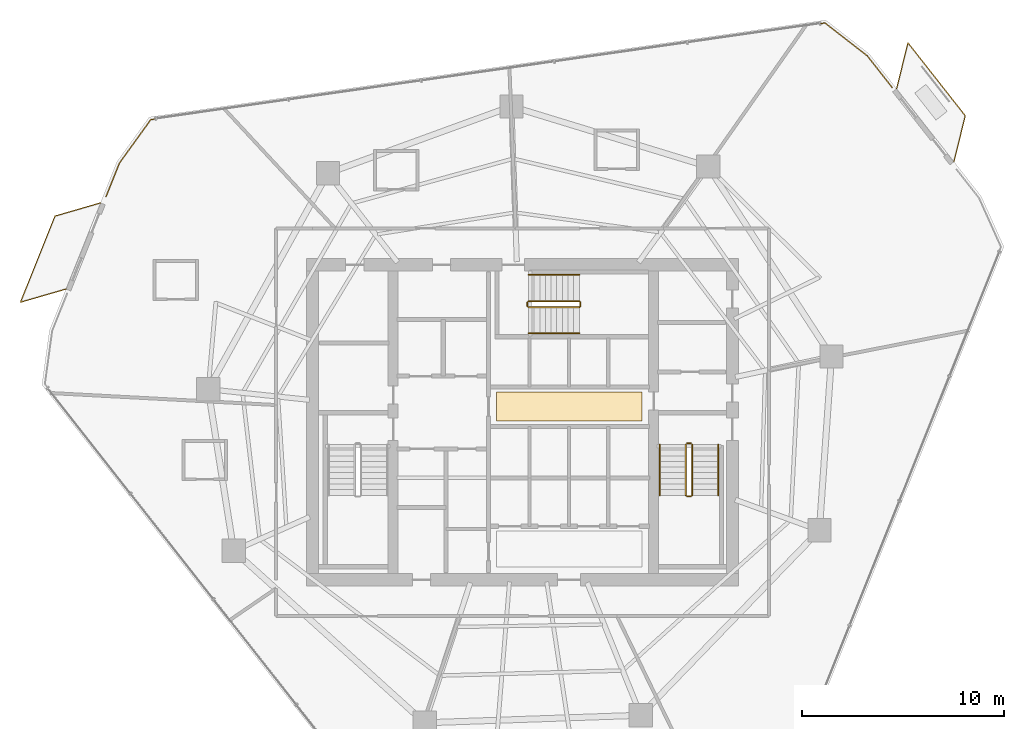
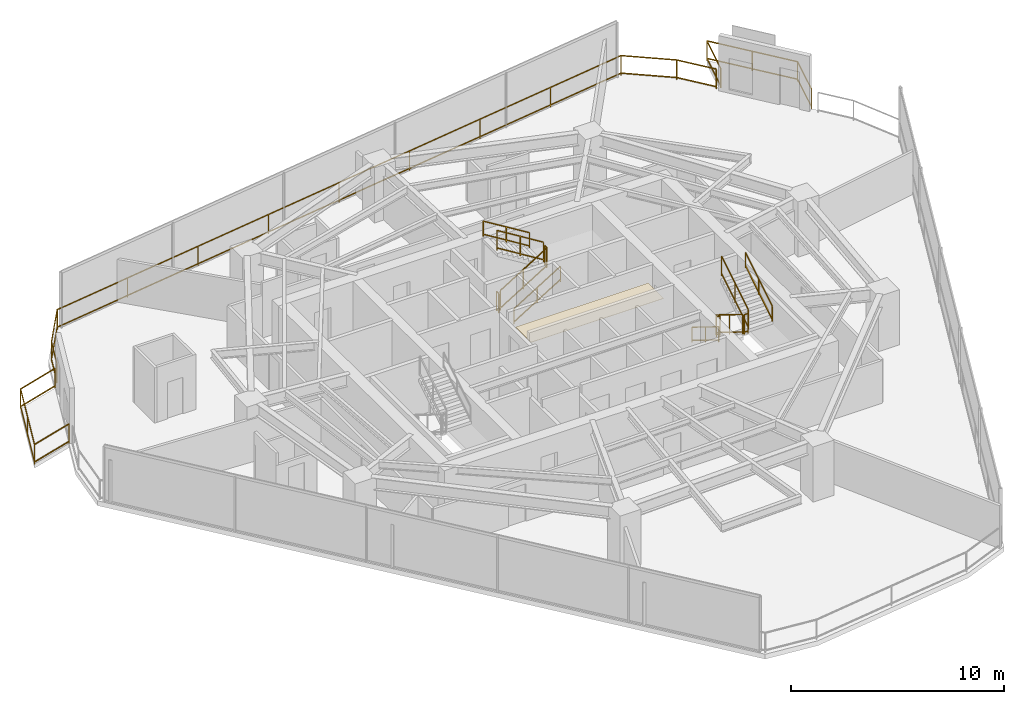
# One storey, part 29 of 29: 16 railings, 1 covering.
"""IFC4 building model written with IfcOpenShell, lengths in metres."""

import ifcopenshell
import ifcopenshell.guid

model = None  # the IFC model being written
_history = None  # IfcOwnerHistory: only IFC2X3 demands one
_inside = {}  # id of a spatial element -> (the spatial element, [elements in it])
_under = {}  # id of a project, library or spatial element -> (it, [spatial elements below it])
_declared = {}  # id of a project -> (the project, [libraries it declares])
_typed = {}  # id of a type object -> (the type object, [elements of that type])
_made_of = {}  # id of a material, layer set ... -> (it, [elements and type objects made of it])


def new_model(schema):
    """Start an empty IFC model of exactly this schema.

    Asked for "IFC4X3", IfcOpenShell would pick the latest addendum, in which some entities
    have other attributes; the version numbers below select the first issue.
    IFC2X3 requires an IfcOwnerHistory on every rooted entity: one is made here for all.
    """
    global model, _history
    if schema == "IFC4X3":
        model = ifcopenshell.file(schema_version=(4, 3, 0, 0))
    else:
        model = ifcopenshell.file(schema=schema)
    _inside.clear()
    _under.clear()
    _declared.clear()
    _typed.clear()
    _made_of.clear()
    _history = None
    if model.schema == "IFC2X3":
        org = make("IfcOrganization", Name="unknown")
        user = make(
            "IfcPersonAndOrganization",
            ThePerson=make("IfcPerson", FamilyName="unknown"),
            TheOrganization=org,
        )
        app = make(
            "IfcApplication",
            ApplicationDeveloper=org,
            Version="unknown",
            ApplicationFullName="unknown",
            ApplicationIdentifier="unknown",
        )
        _history = make(
            "IfcOwnerHistory",
            OwningUser=user,
            OwningApplication=app,
            ChangeAction="ADDED",
            CreationDate=0,
        )
    return model


def make(cls, **values):
    """One entity of the class cls with the attributes given. An attribute that is None is left unset."""
    return model.create_entity(
        cls, **{name: value for name, value in values.items() if value is not None}
    )


def rooted(cls, **values):
    """An entity with a GlobalId (a new one), such as an element, a storey or a relation."""
    return make(cls, GlobalId=ifcopenshell.guid.new(), OwnerHistory=_history, **values)


def si_unit(unit_type, name, prefix=None):
    """IfcSIUnit, for example si_unit("LENGTHUNIT", "METRE", prefix="MILLI")."""
    return make("IfcSIUnit", UnitType=unit_type, Prefix=prefix, Name=name)


def assignment(units):
    """IfcUnitAssignment: the units of a project."""
    return None if units is None else make("IfcUnitAssignment", Units=units)


def point(xyz):
    """IfcCartesianPoint."""
    return None if xyz is None else make("IfcCartesianPoint", Coordinates=xyz)


def direction(xyz):
    """IfcDirection."""
    return None if xyz is None else make("IfcDirection", DirectionRatios=xyz)


def frame(location, z_axis=None, x_axis=None):
    """IfcAxis2Placement3D, a coordinate frame: its origin and axes. An axis left out is left unset."""
    return make(
        "IfcAxis2Placement3D",
        Location=point(location),
        Axis=direction(z_axis),
        RefDirection=direction(x_axis),
    )


def frame_2d(location, x_axis=None):
    """IfcAxis2Placement2D, a coordinate frame in the plane: its origin and x axis."""
    return make(
        "IfcAxis2Placement2D", Location=point(location), RefDirection=direction(x_axis)
    )


def origin():
    """The frame at (0, 0, 0) with its axes left unset."""
    return frame((0.0, 0.0, 0.0))


def origin_2d():
    """The frame at (0, 0) in the plane with its x axis left unset."""
    return frame_2d((0.0, 0.0))


def place(relative_to, where):
    """IfcLocalPlacement: puts the frame where relative to a parent placement (None: the world)."""
    return make(
        "IfcLocalPlacement", PlacementRelTo=relative_to, RelativePlacement=where
    )


def context(
    kind, dimensions, precision=None, world=None, true_north=None, identifier=None
):
    """IfcGeometricRepresentationContext, for example the 3D "Model" context."""
    return make(
        "IfcGeometricRepresentationContext",
        ContextIdentifier=identifier,
        ContextType=kind,
        CoordinateSpaceDimension=dimensions,
        Precision=precision,
        WorldCoordinateSystem=world,
        TrueNorth=true_north,
    )


def subcontext(parent, identifier, kind, view, scale=None):
    """IfcGeometricRepresentationSubContext, for example "Body" below "Model"."""
    return make(
        "IfcGeometricRepresentationSubContext",
        ContextIdentifier=identifier,
        ContextType=kind,
        ParentContext=parent,
        TargetScale=scale,
        TargetView=view,
    )


def project(units=None, contexts=None):
    """IfcProject with its units and contexts."""
    return rooted(
        "IfcProject",
        Name="project",
        RepresentationContexts=contexts,
        UnitsInContext=assignment(units),
    )


def spatial(cls, under=None, at=None, **own):
    """A site, building, storey or space (cls), placed at a placement, below another one or the project."""
    s = rooted(cls, ObjectPlacement=at, **own)
    if under is not None:
        _under.setdefault(under.id(), (under, []))[1].append(s)
    return s


def profile(cls, at=None, kind="AREA", **sizes):
    """A parametric profile (cls). Its sizes go by their IFC names, for example OverallWidth=200.0."""
    return make(cls, ProfileType=kind, Position=at, **sizes)


def rectangle(**sizes):
    """IfcRectangleProfileDef."""
    return profile("IfcRectangleProfileDef", **sizes)


def extrude(swept, where, along, depth):
    """IfcExtrudedAreaSolid: the profile swept, set in the frame where, extruded along a direction by depth."""
    return make(
        "IfcExtrudedAreaSolid",
        SweptArea=swept,
        Position=where,
        ExtrudedDirection=direction(along),
        Depth=depth,
    )


def shape(context_of_items, identifier, shape_type, items):
    """IfcShapeRepresentation: the items that make up one representation, for example the "Body"."""
    return make(
        "IfcShapeRepresentation",
        ContextOfItems=context_of_items,
        RepresentationIdentifier=identifier,
        RepresentationType=shape_type,
        Items=items,
    )


def material(Name=None, Category=None):
    """IfcMaterial."""
    return make("IfcMaterial", Name=Name, Category=Category)


def layer(
    of_material, thickness, ventilated=None, Name=None, Category=None, Priority=None
):
    """IfcMaterialLayer: one layer of a wall or slab, of a material (None: an air gap)."""
    return make(
        "IfcMaterialLayer",
        Material=of_material,
        LayerThickness=thickness,
        IsVentilated=ventilated,
        Name=Name,
        Category=Category,
        Priority=Priority,
    )


def layer_set(layers, Name=None):
    """IfcMaterialLayerSet."""
    return make("IfcMaterialLayerSet", MaterialLayers=layers, LayerSetName=Name)


def made_of(thing, what):
    """Note that an element or type object is made of a material, layer set ...; save() writes the relation."""
    if what is not None:
        _made_of.setdefault(what.id(), (what, []))[1].append(thing)
    return thing


def type_object(cls, material=None, **own):
    """A type object (cls), such as IfcWallType, which elements share."""
    return made_of(rooted(cls, **own), material)


def element(
    cls,
    number,
    at=None,
    inside=None,
    cuts=None,
    type_object=None,
    material=None,
    context=None,
    identifier="Body",
    shape_type=None,
    held_by="IfcProductDefinitionShape",
    body=None,
    shapes=None,
    **own,
):
    """One element of the class cls, such as IfcWall. Its Tag is "e" and its number.

    at: its placement. inside: the storey or other place that contains it. cuts: it is an
    opening in that element (IfcRelVoidsElement). A single representation is given by context,
    identifier, shape_type and body (its items); several are given by shapes. held_by: the class
    of the entity that holds the representations. save() writes the other relations.
    """
    e = rooted(cls, Tag="e%d" % number, ObjectPlacement=at, **own)
    if body is not None:
        shapes = [shape(context, identifier, shape_type, body)]
    if shapes is not None:
        e.Representation = make(held_by, Representations=shapes)
    if inside is not None:
        _inside.setdefault(inside.id(), (inside, []))[1].append(e)
    if cuts is not None:
        rooted(
            "IfcRelVoidsElement", RelatingBuildingElement=cuts, RelatedOpeningElement=e
        )
    if type_object is not None:
        _typed.setdefault(type_object.id(), (type_object, []))[1].append(e)
    return made_of(e, material)


def aggregate(whole, parts):
    """IfcRelAggregates: a whole, such as a stair, and the parts it consists of."""
    return rooted("IfcRelAggregates", RelatingObject=whole, RelatedObjects=parts)


def save(model, path):
    """Write the relations noted so far, then the file.

    IfcRelAggregates (storeys below a building ...), IfcRelContainedInSpatialStructure (elements
    in a storey), IfcRelDefinesByType, IfcRelAssociatesMaterial and IfcRelDeclares: one each for
    every whole, place, type object, material and project.
    """
    for whole, parts in _under.values():
        aggregate(whole, parts)
    for where, things in _inside.values():
        rooted(
            "IfcRelContainedInSpatialStructure",
            RelatedElements=things,
            RelatingStructure=where,
        )
    for kind, things in _typed.values():
        rooted("IfcRelDefinesByType", RelatedObjects=things, RelatingType=kind)
    for what, things in _made_of.values():
        rooted("IfcRelAssociatesMaterial", RelatedObjects=things, RelatingMaterial=what)
    for by, libraries in _declared.values():
        rooted("IfcRelDeclares", RelatingContext=by, RelatedDefinitions=libraries)
    model.write(path)


model = new_model("IFC4")

# Units and contexts
model_context = context("Model", 3, precision=1e-05, world=origin(), true_north=direction((0.0, 1.0)))
body_context = subcontext(model_context, "Body", "Model", "MODEL_VIEW")
ifc_project = project(units=[si_unit("LENGTHUNIT", "METRE"), si_unit("AREAUNIT", "SQUARE_METRE"), si_unit("VOLUMEUNIT", "CUBIC_METRE"), si_unit("PLANEANGLEUNIT", "RADIAN"), si_unit("MASSUNIT", "GRAM", prefix="KILO")], contexts=[model_context])

# Site, building, storey
site_placement = place(None, origin())
site = spatial("IfcSite", under=ifc_project, at=site_placement, CompositionType="ELEMENT")
building_placement = place(site_placement, origin())
building = spatial("IfcBuilding", under=site, at=building_placement, Name="Qarnah Convention Tower", CompositionType="ELEMENT")
storey_placement = place(building_placement, frame((0.0, 0.0, 97.050048828125)))
storey = spatial("IfcBuildingStorey", under=building, at=storey_placement, Name="L25", CompositionType="ELEMENT", Elevation=97.050048828125)

# Covering
ifc_material_1 = material(Name="Mineral fibre acoustic ceiling")
ifc_layer = layer(ifc_material_1, 0.02001953125)
ifc_layer_set = layer_set([ifc_layer], Name="Mineral fibre acoustic ceiling")
covering_type = type_object("IfcCoveringType", Name="COV-CEIL-20", PredefinedType="CEILING", material=ifc_layer_set)
covering_placement = place(storey_placement, frame((39.52001953125, 27.179931640625, 2.2900390625), z_axis=(0.0, 0.0, 1.0), x_axis=(1.0, 0.0, 0.0)))
element("IfcCovering", 1, at=covering_placement, inside=storey, type_object=covering_type, Name="L25 lift lobby acoustic ceiling", PredefinedType="CEILING", context=body_context, shape_type="SweptSolid", body=[
    extrude(rectangle(XDim=7.199951171875, YDim=1.449951171875, at=origin_2d()), origin(), (0.0, 0.0, 1.0), 0.02001953125),
])

# Railings
ifc_material_2 = material(Name="Black anodised aluminium", Category="aluminium")
railing_type_1 = type_object("IfcRailingType", Name="RL-EXT-GUARD-1150", PredefinedType="GUARDRAIL", material=ifc_material_2)
railing_1_placement = place(storey_placement, frame((54.278076171875, 44.547119140625, 0.0)))
element("IfcRailing", 2, at=railing_1_placement, inside=storey, type_object=railing_type_1, Name="L25 slab-edge perimeter safety guard 01", PredefinedType="GUARDRAIL", context=body_context, shape_type="SweptSolid", body=[
    extrude(rectangle(XDim=0.048095703125, YDim=0.048095703125, at=origin_2d()), frame((0.0, 0.0, 1.1259765625), z_axis=(0.617703192365, -0.78641132122, 0.0), x_axis=(0.78641132122, 0.617703192365, 0.0)), (0.0, 0.0, 1.0), 2.004150390625),
    extrude(rectangle(XDim=0.048095703125, YDim=0.048095703125, at=origin_2d()), frame((0.0, 0.0, 0.1201171875), z_axis=(0.617703192365, -0.78641132122, 0.0), x_axis=(0.78641132122, 0.617703192365, 0.0)), (0.0, 0.0, 1.0), 2.004150390625),
    extrude(rectangle(XDim=0.0419921875, YDim=0.0419921875, at=origin_2d()), origin(), (0.0, 0.0, 1.0), 1.101806640625),
    extrude(rectangle(XDim=0.0419921875, YDim=0.0419921875, at=origin_2d()), frame((1.238037109375, -1.576171875, 0.0)), (0.0, 0.0, 1.0), 1.101806640625),
])
railing_2_placement = place(storey_placement, frame((16.575927734375, 37.572021484375, 0.0)))
element("IfcRailing", 3, at=railing_2_placement, inside=storey, type_object=railing_type_1, Name="L25 slab-edge perimeter safety guard 03", PredefinedType="GUARDRAIL", context=body_context, shape_type="SweptSolid", body=[
    extrude(rectangle(XDim=0.048095703125, YDim=0.048095703125, at=origin_2d()), frame((0.0, 0.0, 1.1259765625), z_axis=(0.372048011455, 0.928213486851, 0.0), x_axis=(-0.928213486851, 0.372048011455, 0.0)), (0.0, 0.0, 1.0), 1.792724609375),
    extrude(rectangle(XDim=0.048095703125, YDim=0.048095703125, at=origin_2d()), frame((0.0, 0.0, 0.1201171875), z_axis=(0.372048011455, 0.928213486851, 0.0), x_axis=(-0.928213486851, 0.372048011455, 0.0)), (0.0, 0.0, 1.0), 1.792724609375),
    extrude(rectangle(XDim=0.048095703125, YDim=0.048095703125, at=origin_2d()), frame((0.6669921875, 1.6640625, 1.1259765625), z_axis=(0.585383028437, 0.810756874789, 0.0), x_axis=(-0.810756874789, 0.585383028437, 0.0)), (0.0, 0.0, 1.0), 2.65283203125),
    extrude(rectangle(XDim=0.048095703125, YDim=0.048095703125, at=origin_2d()), frame((0.6669921875, 1.6640625, 0.1201171875), z_axis=(0.585383028437, 0.810756874789, 0.0), x_axis=(-0.810756874789, 0.585383028437, 0.0)), (0.0, 0.0, 1.0), 2.65283203125),
    extrude(rectangle(XDim=0.048095703125, YDim=0.048095703125, at=origin_2d()), frame((2.219970703125, 3.81494140625, 1.1259765625), z_axis=(0.989876689671, 0.141930050537, 0.0), x_axis=(-0.141930050537, 0.989876689671, 0.0)), (0.0, 0.0, 1.0), 33.728759765625),
    extrude(rectangle(XDim=0.048095703125, YDim=0.048095703125, at=origin_2d()), frame((2.219970703125, 3.81494140625, 0.1201171875), z_axis=(0.989876689671, 0.141930050537, 0.0), x_axis=(-0.141930050537, 0.989876689671, 0.0)), (0.0, 0.0, 1.0), 33.728759765625),
    extrude(rectangle(XDim=0.048095703125, YDim=0.048095703125, at=origin_2d()), frame((35.607177734375, 8.60205078125, 1.1259765625), z_axis=(0.789803004829, -0.613360590162, 0.0), x_axis=(0.613360590162, 0.789803004829, 0.0)), (0.0, 0.0, 1.0), 2.652587890625),
    extrude(rectangle(XDim=0.048095703125, YDim=0.048095703125, at=origin_2d()), frame((35.607177734375, 8.60205078125, 0.1201171875), z_axis=(0.789803004829, -0.613360590162, 0.0), x_axis=(0.613360590162, 0.789803004829, 0.0)), (0.0, 0.0, 1.0), 2.652587890625),
    extrude(rectangle(XDim=0.0419921875, YDim=0.0419921875, at=origin_2d()), origin(), (0.0, 0.0, 1.0), 1.101806640625),
    extrude(rectangle(XDim=0.0419921875, YDim=0.0419921875, at=origin_2d()), frame((0.6669921875, 1.6640625, 0.0)), (0.0, 0.0, 1.0), 1.101806640625),
    extrude(rectangle(XDim=0.0419921875, YDim=0.0419921875, at=origin_2d()), frame((2.219970703125, 3.81494140625, 0.0)), (0.0, 0.0, 1.0), 1.101806640625),
    extrude(rectangle(XDim=0.0419921875, YDim=0.0419921875, at=origin_2d()), frame((6.393310546875, 4.413330078125, 0.0)), (0.0, 0.0, 1.0), 1.101806640625),
    extrude(rectangle(XDim=0.0419921875, YDim=0.0419921875, at=origin_2d()), frame((10.56689453125, 5.01171875, 0.0)), (0.0, 0.0, 1.0), 1.101806640625),
    extrude(rectangle(XDim=0.0419921875, YDim=0.0419921875, at=origin_2d()), frame((14.740234375, 5.610107421875, 0.0)), (0.0, 0.0, 1.0), 1.101806640625),
    extrude(rectangle(XDim=0.0419921875, YDim=0.0419921875, at=origin_2d()), frame((18.91357421875, 6.20849609375, 0.0)), (0.0, 0.0, 1.0), 1.101806640625),
    extrude(rectangle(XDim=0.0419921875, YDim=0.0419921875, at=origin_2d()), frame((23.0869140625, 6.806884765625, 0.0)), (0.0, 0.0, 1.0), 1.101806640625),
    extrude(rectangle(XDim=0.0419921875, YDim=0.0419921875, at=origin_2d()), frame((27.26025390625, 7.4052734375, 0.0)), (0.0, 0.0, 1.0), 1.101806640625),
    extrude(rectangle(XDim=0.0419921875, YDim=0.0419921875, at=origin_2d()), frame((31.433837890625, 8.003662109375, 0.0)), (0.0, 0.0, 1.0), 1.101806640625),
    extrude(rectangle(XDim=0.0419921875, YDim=0.0419921875, at=origin_2d()), frame((35.607177734375, 8.60205078125, 0.0)), (0.0, 0.0, 1.0), 1.101806640625),
    extrude(rectangle(XDim=0.0419921875, YDim=0.0419921875, at=origin_2d()), frame((37.7021484375, 6.97509765625, 0.0)), (0.0, 0.0, 1.0), 1.101806640625),
])
railing_3_placement = place(storey_placement, frame((55.72998046875, 42.91796875, 0.0)))
element("IfcRailing", 4, at=railing_3_placement, inside=storey, type_object=railing_type_1, Name="L25 balcony safety guard BAL-L25-C1", PredefinedType="GUARDRAIL", context=body_context, shape_type="SweptSolid", body=[
    extrude(rectangle(XDim=0.048095703125, YDim=0.048095703125, at=origin_2d()), frame((0.0, 0.0, 1.1259765625), z_axis=(0.239034135672, 0.971011164706, 0.0), x_axis=(-0.971011164706, 0.239034135672, 0.0)), (0.0, 0.0, 1.0), 2.34716796875),
    extrude(rectangle(XDim=0.048095703125, YDim=0.048095703125, at=origin_2d()), frame((0.0, 0.0, 0.1201171875), z_axis=(0.239034135672, 0.971011164706, 0.0), x_axis=(-0.971011164706, 0.239034135672, 0.0)), (0.0, 0.0, 1.0), 2.34716796875),
    extrude(rectangle(XDim=0.048095703125, YDim=0.048095703125, at=origin_2d()), frame((0.56103515625, 2.279052734375, 1.1259765625), z_axis=(0.617842647649, -0.786301763158, 0.0), x_axis=(0.786301763158, 0.617842647649, 0.0)), (0.0, 0.0, 1.0), 4.599853515625),
    extrude(rectangle(XDim=0.048095703125, YDim=0.048095703125, at=origin_2d()), frame((0.56103515625, 2.279052734375, 0.1201171875), z_axis=(0.617842647649, -0.786301763158, 0.0), x_axis=(0.786301763158, 0.617842647649, 0.0)), (0.0, 0.0, 1.0), 4.599853515625),
    extrude(rectangle(XDim=0.048095703125, YDim=0.048095703125, at=origin_2d()), frame((3.403076171875, -1.337890625, 1.1259765625), z_axis=(-0.239034135672, -0.971011164706, 0.0), x_axis=(0.971011164706, -0.239034135672, 0.0)), (0.0, 0.0, 1.0), 2.34716796875),
    extrude(rectangle(XDim=0.048095703125, YDim=0.048095703125, at=origin_2d()), frame((3.403076171875, -1.337890625, 0.1201171875), z_axis=(-0.239034135672, -0.971011164706, 0.0), x_axis=(0.971011164706, -0.239034135672, 0.0)), (0.0, 0.0, 1.0), 2.34716796875),
    extrude(rectangle(XDim=0.0419921875, YDim=0.0419921875, at=origin_2d()), origin(), (0.0, 0.0, 1.0), 1.101806640625),
    extrude(rectangle(XDim=0.0419921875, YDim=0.0419921875, at=origin_2d()), frame((0.56103515625, 2.279052734375, 0.0)), (0.0, 0.0, 1.0), 1.101806640625),
    extrude(rectangle(XDim=0.0419921875, YDim=0.0419921875, at=origin_2d()), frame((1.98193359375, 0.470703125, 0.0)), (0.0, 0.0, 1.0), 1.101806640625),
    extrude(rectangle(XDim=0.0419921875, YDim=0.0419921875, at=origin_2d()), frame((3.403076171875, -1.337890625, 0.0)), (0.0, 0.0, 1.0), 1.101806640625),
    extrude(rectangle(XDim=0.0419921875, YDim=0.0419921875, at=origin_2d()), frame((2.842041015625, -3.616943359375, 0.0)), (0.0, 0.0, 1.0), 1.101806640625),
])
railing_4_placement = place(storey_placement, frame((14.595947265625, 32.9951171875, 0.0)))
element("IfcRailing", 5, at=railing_4_placement, inside=storey, type_object=railing_type_1, Name="L25 balcony safety guard BAL-L25-C2", PredefinedType="GUARDRAIL", context=body_context, shape_type="SweptSolid", body=[
    extrude(rectangle(XDim=0.048095703125, YDim=0.048095703125, at=origin_2d()), frame((0.0, 0.0, 1.1259765625), z_axis=(-0.960524782043, -0.27819443395, 0.0), x_axis=(0.27819443395, -0.960524782043, 0.0)), (0.0, 0.0, 1.0), 2.34765625),
    extrude(rectangle(XDim=0.048095703125, YDim=0.048095703125, at=origin_2d()), frame((0.0, 0.0, 0.1201171875), z_axis=(-0.960524782043, -0.27819443395, 0.0), x_axis=(0.27819443395, -0.960524782043, 0.0)), (0.0, 0.0, 1.0), 2.34765625),
    extrude(rectangle(XDim=0.048095703125, YDim=0.048095703125, at=origin_2d()), frame((-2.2548828125, -0.653076171875, 1.1259765625), z_axis=(0.372012957535, 0.928227536451, 0.0), x_axis=(-0.928227536451, 0.372012957535, 0.0)), (0.0, 0.0, 1.0), 4.59912109375),
    extrude(rectangle(XDim=0.048095703125, YDim=0.048095703125, at=origin_2d()), frame((-2.2548828125, -0.653076171875, 0.1201171875), z_axis=(0.372012957535, 0.928227536451, 0.0), x_axis=(-0.928227536451, 0.372012957535, 0.0)), (0.0, 0.0, 1.0), 4.59912109375),
    extrude(rectangle(XDim=0.048095703125, YDim=0.048095703125, at=origin_2d()), frame((-0.5439453125, 3.615966796875, 1.1259765625), z_axis=(0.960441377481, 0.278482244358, 0.0), x_axis=(-0.278482244358, 0.960441377481, 0.0)), (0.0, 0.0, 1.0), 2.34765625),
    extrude(rectangle(XDim=0.048095703125, YDim=0.048095703125, at=origin_2d()), frame((-0.5439453125, 3.615966796875, 0.1201171875), z_axis=(0.960441377481, 0.278482244358, 0.0), x_axis=(-0.278482244358, 0.960441377481, 0.0)), (0.0, 0.0, 1.0), 2.34765625),
    extrude(rectangle(XDim=0.0419921875, YDim=0.0419921875, at=origin_2d()), origin(), (0.0, 0.0, 1.0), 1.101806640625),
    extrude(rectangle(XDim=0.0419921875, YDim=0.0419921875, at=origin_2d()), frame((-2.2548828125, -0.653076171875, 0.0)), (0.0, 0.0, 1.0), 1.101806640625),
    extrude(rectangle(XDim=0.0419921875, YDim=0.0419921875, at=origin_2d()), frame((-1.3994140625, 1.4814453125, 0.0)), (0.0, 0.0, 1.0), 1.101806640625),
    extrude(rectangle(XDim=0.0419921875, YDim=0.0419921875, at=origin_2d()), frame((-0.5439453125, 3.615966796875, 0.0)), (0.0, 0.0, 1.0), 1.101806640625),
    extrude(rectangle(XDim=0.0419921875, YDim=0.0419921875, at=origin_2d()), frame((1.7109375, 4.269775390625, 0.0)), (0.0, 0.0, 1.0), 1.101806640625),
])
ifc_material_3 = material(Name="Structural steel S355JR", Category="steel")
railing_type_2 = type_object("IfcRailingType", Name="RL-STAIR-GUARD-1150", PredefinedType="GUARDRAIL", material=ifc_material_3)
railing_5_placement = place(storey_placement, frame((45.300048828125, 25.300048828125, 0.17236328125)))
element("IfcRailing", 6, at=railing_5_placement, inside=storey, type_object=railing_type_2, Name="L25 ST-2 stair guard 1", PredefinedType="GUARDRAIL", context=body_context, shape_type="SweptSolid", body=[
    extrude(rectangle(XDim=0.048095703125, YDim=0.048095703125, at=origin_2d()), frame((0.0, 0.0, 1.1259765625), z_axis=(0.0, -0.851400495292, 0.524516154772), x_axis=(1.0, 0.0, 0.0)), (0.0, 0.0, 1.0), 2.9599609375),
    extrude(rectangle(XDim=0.048095703125, YDim=0.048095703125, at=origin_2d()), frame((0.0, 0.0, 0.1201171875), z_axis=(0.0, -0.851400495292, 0.524516154772), x_axis=(1.0, 0.0, 0.0)), (0.0, 0.0, 1.0), 2.9599609375),
    extrude(rectangle(XDim=0.0419921875, YDim=0.0419921875, at=origin_2d()), origin(), (0.0, 0.0, 1.0), 1.101806640625),
    extrude(rectangle(XDim=0.0419921875, YDim=0.0419921875, at=origin_2d()), frame((0.0, -1.260009765625, 0.7763671875)), (0.0, 0.0, 1.0), 1.101806640625),
    extrude(rectangle(XDim=0.0419921875, YDim=0.0419921875, at=origin_2d()), frame((0.0, -2.52001953125, 1.552490234375)), (0.0, 0.0, 1.0), 1.101806640625),
])
railing_6_placement = place(storey_placement, frame((45.35009765625, 22.72998046875, 1.724853515625)))
element("IfcRailing", 7, at=railing_6_placement, inside=storey, type_object=railing_type_2, Name="L25 ST-2 stair guard 2", PredefinedType="GUARDRAIL", context=body_context, shape_type="SweptSolid", body=[
    extrude(rectangle(XDim=0.048095703125, YDim=0.048095703125, at=origin_2d()), frame((0.0, 0.0, 1.1259765625), z_axis=(1.0, 0.0, 0.0), x_axis=(0.0, 1.0, 0.0)), (0.0, 0.0, 1.0), 0.199951171875),
    extrude(rectangle(XDim=0.048095703125, YDim=0.048095703125, at=origin_2d()), frame((0.0, 0.0, 0.1201171875), z_axis=(1.0, 0.0, 0.0), x_axis=(0.0, 1.0, 0.0)), (0.0, 0.0, 1.0), 0.199951171875),
    extrude(rectangle(XDim=0.0419921875, YDim=0.0419921875, at=origin_2d()), origin(), (0.0, 0.0, 1.0), 1.101806640625),
    extrude(rectangle(XDim=0.0419921875, YDim=0.0419921875, at=origin_2d()), frame((0.199951171875, 0.0, 0.0)), (0.0, 0.0, 1.0), 1.101806640625),
])
railing_7_placement = place(storey_placement, frame((45.60009765625, 22.780029296875, 1.8974609375)))
element("IfcRailing", 8, at=railing_7_placement, inside=storey, type_object=railing_type_2, Name="L25 ST-2 stair guard 3", PredefinedType="GUARDRAIL", context=body_context, shape_type="SweptSolid", body=[
    extrude(rectangle(XDim=0.048095703125, YDim=0.048095703125, at=origin_2d()), frame((0.0, 0.0, 1.1259765625), z_axis=(0.0, 0.851400495292, 0.524516154772), x_axis=(-1.0, 0.0, 0.0)), (0.0, 0.0, 1.0), 2.9599609375),
    extrude(rectangle(XDim=0.048095703125, YDim=0.048095703125, at=origin_2d()), frame((0.0, 0.0, 0.1201171875), z_axis=(0.0, 0.851400495292, 0.524516154772), x_axis=(-1.0, 0.0, 0.0)), (0.0, 0.0, 1.0), 2.9599609375),
    extrude(rectangle(XDim=0.0419921875, YDim=0.0419921875, at=origin_2d()), origin(), (0.0, 0.0, 1.0), 1.101806640625),
    extrude(rectangle(XDim=0.0419921875, YDim=0.0419921875, at=origin_2d()), frame((0.0, 1.260009765625, 0.7763671875)), (0.0, 0.0, 1.0), 1.101806640625),
    extrude(rectangle(XDim=0.0419921875, YDim=0.0419921875, at=origin_2d()), frame((0.0, 2.52001953125, 1.552490234375)), (0.0, 0.0, 1.0), 1.101806640625),
])
railing_8_placement = place(storey_placement, frame((45.35009765625, 25.35009765625, 0.0)))
element("IfcRailing", 9, at=railing_8_placement, inside=storey, type_object=railing_type_2, Name="L25 ST-2 stair guard 4", PredefinedType="GUARDRAIL", context=body_context, shape_type="SweptSolid", body=[
    extrude(rectangle(XDim=0.048095703125, YDim=0.048095703125, at=origin_2d()), frame((0.0, 0.0, 1.1259765625), z_axis=(1.0, 0.0, 0.0), x_axis=(0.0, 1.0, 0.0)), (0.0, 0.0, 1.0), 0.199951171875),
    extrude(rectangle(XDim=0.048095703125, YDim=0.048095703125, at=origin_2d()), frame((0.0, 0.0, 0.1201171875), z_axis=(1.0, 0.0, 0.0), x_axis=(0.0, 1.0, 0.0)), (0.0, 0.0, 1.0), 0.199951171875),
    extrude(rectangle(XDim=0.0419921875, YDim=0.0419921875, at=origin_2d()), origin(), (0.0, 0.0, 1.0), 1.101806640625),
    extrude(rectangle(XDim=0.0419921875, YDim=0.0419921875, at=origin_2d()), frame((0.199951171875, 0.0, 0.0)), (0.0, 0.0, 1.0), 1.101806640625),
])
railing_9_placement = place(storey_placement, frame((37.5, 32.10009765625, 0.17236328125)))
element("IfcRailing", 10, at=railing_9_placement, inside=storey, type_object=railing_type_2, Name="L25 ST-3 stair guard 1", PredefinedType="GUARDRAIL", context=body_context, shape_type="SweptSolid", body=[
    extrude(rectangle(XDim=0.048095703125, YDim=0.048095703125, at=origin_2d()), frame((0.0, 0.0, 1.1259765625), z_axis=(0.851400495292, 0.0, 0.524516154772), x_axis=(0.0, 1.0, 0.0)), (0.0, 0.0, 1.0), 2.9599609375),
    extrude(rectangle(XDim=0.048095703125, YDim=0.048095703125, at=origin_2d()), frame((0.0, 0.0, 0.1201171875), z_axis=(0.851400495292, 0.0, 0.524516154772), x_axis=(0.0, 1.0, 0.0)), (0.0, 0.0, 1.0), 2.9599609375),
    extrude(rectangle(XDim=0.0419921875, YDim=0.0419921875, at=origin_2d()), origin(), (0.0, 0.0, 1.0), 1.101806640625),
    extrude(rectangle(XDim=0.0419921875, YDim=0.0419921875, at=origin_2d()), frame((1.260009765625, 0.0, 0.7763671875)), (0.0, 0.0, 1.0), 1.101806640625),
    extrude(rectangle(XDim=0.0419921875, YDim=0.0419921875, at=origin_2d()), frame((2.52001953125, 0.0, 1.552490234375)), (0.0, 0.0, 1.0), 1.101806640625),
])
railing_10_placement = place(storey_placement, frame((40.070068359375, 32.14990234375, 1.724853515625)))
element("IfcRailing", 11, at=railing_10_placement, inside=storey, type_object=railing_type_2, Name="L25 ST-3 stair guard 2", PredefinedType="GUARDRAIL", context=body_context, shape_type="SweptSolid", body=[
    extrude(rectangle(XDim=0.048095703125, YDim=0.048095703125, at=origin_2d()), frame((0.0, 0.0, 1.1259765625), z_axis=(0.0, 1.0, 0.0), x_axis=(-1.0, 0.0, 0.0)), (0.0, 0.0, 1.0), 0.2001953125),
    extrude(rectangle(XDim=0.048095703125, YDim=0.048095703125, at=origin_2d()), frame((0.0, 0.0, 0.1201171875), z_axis=(0.0, 1.0, 0.0), x_axis=(-1.0, 0.0, 0.0)), (0.0, 0.0, 1.0), 0.2001953125),
    extrude(rectangle(XDim=0.0419921875, YDim=0.0419921875, at=origin_2d()), origin(), (0.0, 0.0, 1.0), 1.101806640625),
    extrude(rectangle(XDim=0.0419921875, YDim=0.0419921875, at=origin_2d()), frame((0.0, 0.2001953125, 0.0)), (0.0, 0.0, 1.0), 1.101806640625),
])
railing_11_placement = place(storey_placement, frame((40.02001953125, 32.39990234375, 1.8974609375)))
element("IfcRailing", 12, at=railing_11_placement, inside=storey, type_object=railing_type_2, Name="L25 ST-3 stair guard 3", PredefinedType="GUARDRAIL", context=body_context, shape_type="SweptSolid", body=[
    extrude(rectangle(XDim=0.048095703125, YDim=0.048095703125, at=origin_2d()), frame((0.0, 0.0, 1.1259765625), z_axis=(-0.851400495292, 0.0, 0.524516154772), x_axis=(0.0, -1.0, 0.0)), (0.0, 0.0, 1.0), 2.9599609375),
    extrude(rectangle(XDim=0.048095703125, YDim=0.048095703125, at=origin_2d()), frame((0.0, 0.0, 0.1201171875), z_axis=(-0.851400495292, 0.0, 0.524516154772), x_axis=(0.0, -1.0, 0.0)), (0.0, 0.0, 1.0), 2.9599609375),
    extrude(rectangle(XDim=0.0419921875, YDim=0.0419921875, at=origin_2d()), origin(), (0.0, 0.0, 1.0), 1.101806640625),
    extrude(rectangle(XDim=0.0419921875, YDim=0.0419921875, at=origin_2d()), frame((-1.260009765625, 0.0, 0.7763671875)), (0.0, 0.0, 1.0), 1.101806640625),
    extrude(rectangle(XDim=0.0419921875, YDim=0.0419921875, at=origin_2d()), frame((-2.52001953125, 0.0, 1.552490234375)), (0.0, 0.0, 1.0), 1.101806640625),
])
railing_12_placement = place(storey_placement, frame((37.449951171875, 32.14990234375, 0.0)))
element("IfcRailing", 13, at=railing_12_placement, inside=storey, type_object=railing_type_2, Name="L25 ST-3 stair guard 4", PredefinedType="GUARDRAIL", context=body_context, shape_type="SweptSolid", body=[
    extrude(rectangle(XDim=0.048095703125, YDim=0.048095703125, at=origin_2d()), frame((0.0, 0.0, 1.1259765625), z_axis=(0.0, 1.0, 0.0), x_axis=(-1.0, 0.0, 0.0)), (0.0, 0.0, 1.0), 0.2001953125),
    extrude(rectangle(XDim=0.048095703125, YDim=0.048095703125, at=origin_2d()), frame((0.0, 0.0, 0.1201171875), z_axis=(0.0, 1.0, 0.0), x_axis=(-1.0, 0.0, 0.0)), (0.0, 0.0, 1.0), 0.2001953125),
    extrude(rectangle(XDim=0.0419921875, YDim=0.0419921875, at=origin_2d()), origin(), (0.0, 0.0, 1.0), 1.101806640625),
    extrude(rectangle(XDim=0.0419921875, YDim=0.0419921875, at=origin_2d()), frame((0.0, 0.2001953125, 0.0)), (0.0, 0.0, 1.0), 1.101806640625),
])
railing_type_3 = type_object("IfcRailingType", Name="RL-STAIR-HAND-900", PredefinedType="HANDRAIL", material=ifc_material_3)
railing_13_placement = place(storey_placement, frame((44.0, 25.300048828125, 0.17236328125)))
element("IfcRailing", 14, at=railing_13_placement, inside=storey, type_object=railing_type_3, Name="L25 ST-2 stair handrail 1", PredefinedType="HANDRAIL", context=body_context, shape_type="SweptSolid", body=[
    extrude(rectangle(XDim=0.048095703125, YDim=0.048095703125, at=origin_2d()), frame((0.0, 0.0, 0.8759765625), z_axis=(0.0, -0.851400495292, 0.524516154772), x_axis=(1.0, 0.0, 0.0)), (0.0, 0.0, 1.0), 2.9599609375),
    extrude(rectangle(XDim=0.048095703125, YDim=0.048095703125, at=origin_2d()), frame((0.0, 0.0, 0.1201171875), z_axis=(0.0, -0.851400495292, 0.524516154772), x_axis=(1.0, 0.0, 0.0)), (0.0, 0.0, 1.0), 2.9599609375),
    extrude(rectangle(XDim=0.0419921875, YDim=0.0419921875, at=origin_2d()), origin(), (0.0, 0.0, 1.0), 0.851806640625),
    extrude(rectangle(XDim=0.0419921875, YDim=0.0419921875, at=origin_2d()), frame((0.0, -1.260009765625, 0.7763671875)), (0.0, 0.0, 1.0), 0.851806640625),
    extrude(rectangle(XDim=0.0419921875, YDim=0.0419921875, at=origin_2d()), frame((0.0, -2.52001953125, 1.552490234375)), (0.0, 0.0, 1.0), 0.851806640625),
])
railing_14_placement = place(storey_placement, frame((46.89990234375, 22.780029296875, 1.8974609375)))
element("IfcRailing", 15, at=railing_14_placement, inside=storey, type_object=railing_type_3, Name="L25 ST-2 stair handrail 2", PredefinedType="HANDRAIL", context=body_context, shape_type="SweptSolid", body=[
    extrude(rectangle(XDim=0.048095703125, YDim=0.048095703125, at=origin_2d()), frame((0.0, 0.0, 0.8759765625), z_axis=(0.0, 0.851400495292, 0.524516154772), x_axis=(-1.0, 0.0, 0.0)), (0.0, 0.0, 1.0), 2.9599609375),
    extrude(rectangle(XDim=0.048095703125, YDim=0.048095703125, at=origin_2d()), frame((0.0, 0.0, 0.1201171875), z_axis=(0.0, 0.851400495292, 0.524516154772), x_axis=(-1.0, 0.0, 0.0)), (0.0, 0.0, 1.0), 2.9599609375),
    extrude(rectangle(XDim=0.0419921875, YDim=0.0419921875, at=origin_2d()), origin(), (0.0, 0.0, 1.0), 0.851806640625),
    extrude(rectangle(XDim=0.0419921875, YDim=0.0419921875, at=origin_2d()), frame((0.0, 1.260009765625, 0.7763671875)), (0.0, 0.0, 1.0), 0.851806640625),
    extrude(rectangle(XDim=0.0419921875, YDim=0.0419921875, at=origin_2d()), frame((0.0, 2.52001953125, 1.552490234375)), (0.0, 0.0, 1.0), 0.851806640625),
])
railing_15_placement = place(storey_placement, frame((37.5, 30.800048828125, 0.17236328125)))
element("IfcRailing", 16, at=railing_15_placement, inside=storey, type_object=railing_type_3, Name="L25 ST-3 stair handrail 1", PredefinedType="HANDRAIL", context=body_context, shape_type="SweptSolid", body=[
    extrude(rectangle(XDim=0.048095703125, YDim=0.048095703125, at=origin_2d()), frame((0.0, 0.0, 0.8759765625), z_axis=(0.851400495292, 0.0, 0.524516154772), x_axis=(0.0, 1.0, 0.0)), (0.0, 0.0, 1.0), 2.9599609375),
    extrude(rectangle(XDim=0.048095703125, YDim=0.048095703125, at=origin_2d()), frame((0.0, 0.0, 0.1201171875), z_axis=(0.851400495292, 0.0, 0.524516154772), x_axis=(0.0, 1.0, 0.0)), (0.0, 0.0, 1.0), 2.9599609375),
    extrude(rectangle(XDim=0.0419921875, YDim=0.0419921875, at=origin_2d()), origin(), (0.0, 0.0, 1.0), 0.851806640625),
    extrude(rectangle(XDim=0.0419921875, YDim=0.0419921875, at=origin_2d()), frame((1.260009765625, 0.0, 0.7763671875)), (0.0, 0.0, 1.0), 0.851806640625),
    extrude(rectangle(XDim=0.0419921875, YDim=0.0419921875, at=origin_2d()), frame((2.52001953125, 0.0, 1.552490234375)), (0.0, 0.0, 1.0), 0.851806640625),
])
railing_16_placement = place(storey_placement, frame((40.02001953125, 33.699951171875, 1.8974609375)))
element("IfcRailing", 17, at=railing_16_placement, inside=storey, type_object=railing_type_3, Name="L25 ST-3 stair handrail 2", PredefinedType="HANDRAIL", context=body_context, shape_type="SweptSolid", body=[
    extrude(rectangle(XDim=0.048095703125, YDim=0.048095703125, at=origin_2d()), frame((0.0, 0.0, 0.8759765625), z_axis=(-0.851400495292, 0.0, 0.524516154772), x_axis=(0.0, -1.0, 0.0)), (0.0, 0.0, 1.0), 2.9599609375),
    extrude(rectangle(XDim=0.048095703125, YDim=0.048095703125, at=origin_2d()), frame((0.0, 0.0, 0.1201171875), z_axis=(-0.851400495292, 0.0, 0.524516154772), x_axis=(0.0, -1.0, 0.0)), (0.0, 0.0, 1.0), 2.9599609375),
    extrude(rectangle(XDim=0.0419921875, YDim=0.0419921875, at=origin_2d()), origin(), (0.0, 0.0, 1.0), 0.851806640625),
    extrude(rectangle(XDim=0.0419921875, YDim=0.0419921875, at=origin_2d()), frame((-1.260009765625, 0.0, 0.7763671875)), (0.0, 0.0, 1.0), 0.851806640625),
    extrude(rectangle(XDim=0.0419921875, YDim=0.0419921875, at=origin_2d()), frame((-2.52001953125, 0.0, 1.552490234375)), (0.0, 0.0, 1.0), 0.851806640625),
])

save(model, "model.ifc")
